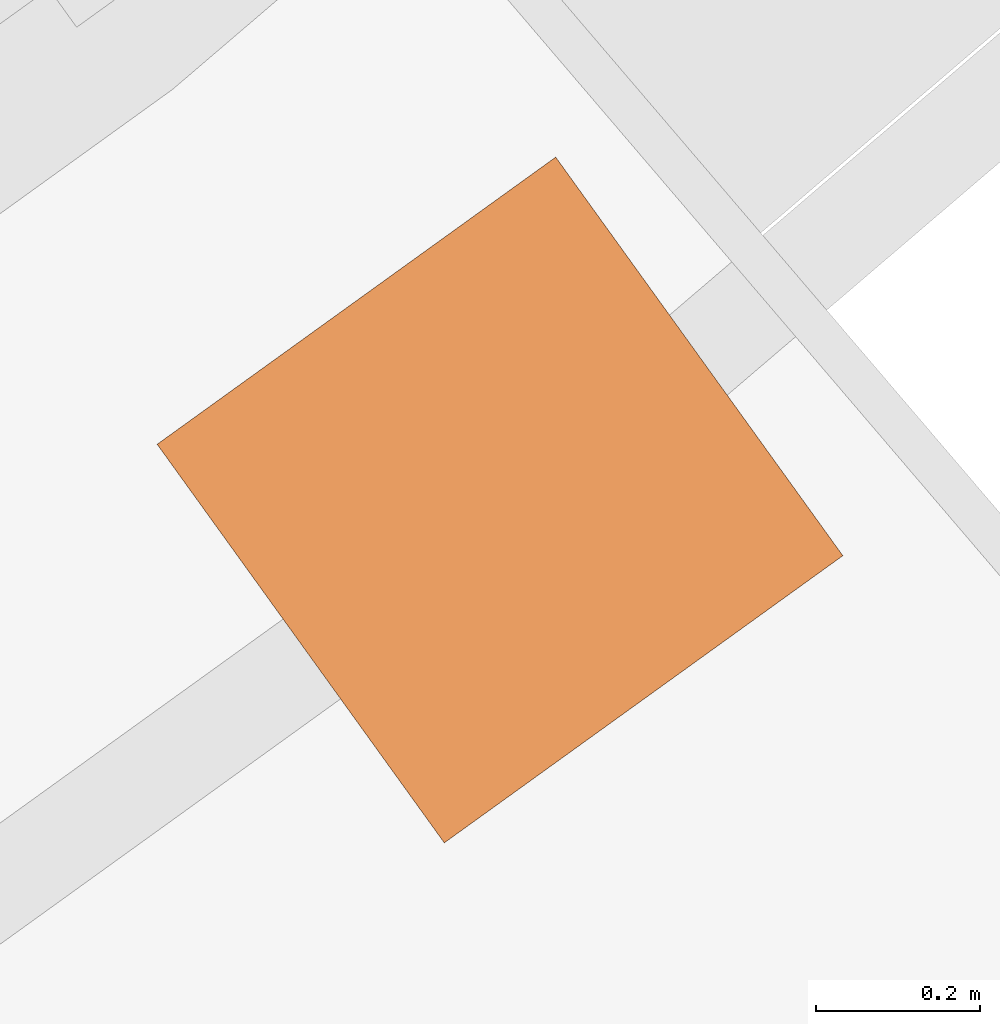
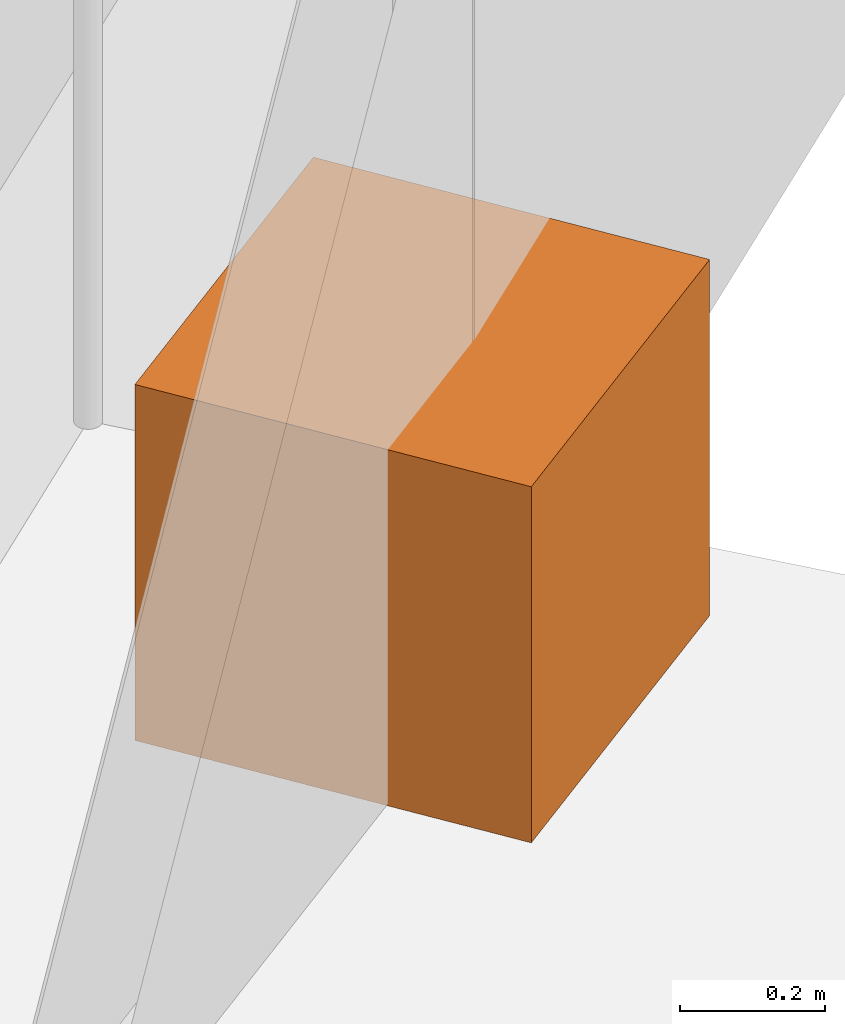
# One storey, part 20 of 20: 1 proxy.
"""IFC4 building model written with IfcOpenShell, lengths in metres."""

from ifc_helpers import new_model, si_unit, direction, frame, origin, origin_2d, place, context, subcontext, project, spatial, rectangle, extrude, material, type_object, element, save


model = new_model("IFC4")

# Units and contexts
model_context = context("Model", 3, precision=1e-05, world=origin(), true_north=direction((0.0, 1.0)))
body_context = subcontext(model_context, "Body", "Model", "MODEL_VIEW")
ifc_project = project(units=[si_unit("LENGTHUNIT", "METRE"), si_unit("AREAUNIT", "SQUARE_METRE"), si_unit("VOLUMEUNIT", "CUBIC_METRE"), si_unit("PLANEANGLEUNIT", "RADIAN"), si_unit("MASSUNIT", "GRAM", prefix="KILO")], contexts=[model_context])

# Site, building, storey
site_placement = place(None, origin())
site = spatial("IfcSite", under=ifc_project, at=site_placement, CompositionType="ELEMENT")
building_placement = place(site_placement, origin())
building = spatial("IfcBuilding", under=site, at=building_placement, Name="Tamarind Cross Interchange Tower", CompositionType="ELEMENT")
storey_placement = place(building_placement, frame((0.0, 0.0, 274.800048828125)))
storey = spatial("IfcBuildingStorey", under=building, at=storey_placement, Name="L70", CompositionType="ELEMENT", Elevation=274.800048828125)

# Proxy
ifc_material = material(Name="Concrete C30", Category="concrete")
building_element_proxy_type = type_object("IfcBuildingElementProxyType", Name="Planter", PredefinedType="USERDEFINED", material=ifc_material)
proxy_placement = place(storey_placement, origin())
element("IfcBuildingElementProxy", 1, at=proxy_placement, inside=storey, type_object=building_element_proxy_type, Name="PLT-L70-BAL01", ObjectType="Planter", PredefinedType="USERDEFINED", context=body_context, shape_type="SweptSolid", body=[
    extrude(rectangle(XDim=0.60009765625, YDim=0.60009765625, at=origin_2d()), frame((15.219970703125, -19.374267578125, 0.0), z_axis=(0.0, 0.0, 1.0), x_axis=(0.811340475102, 0.584573890505, 0.0)), (0.0, 0.0, 1.0), 0.60009765625),
])

save(model, "model.ifc")
